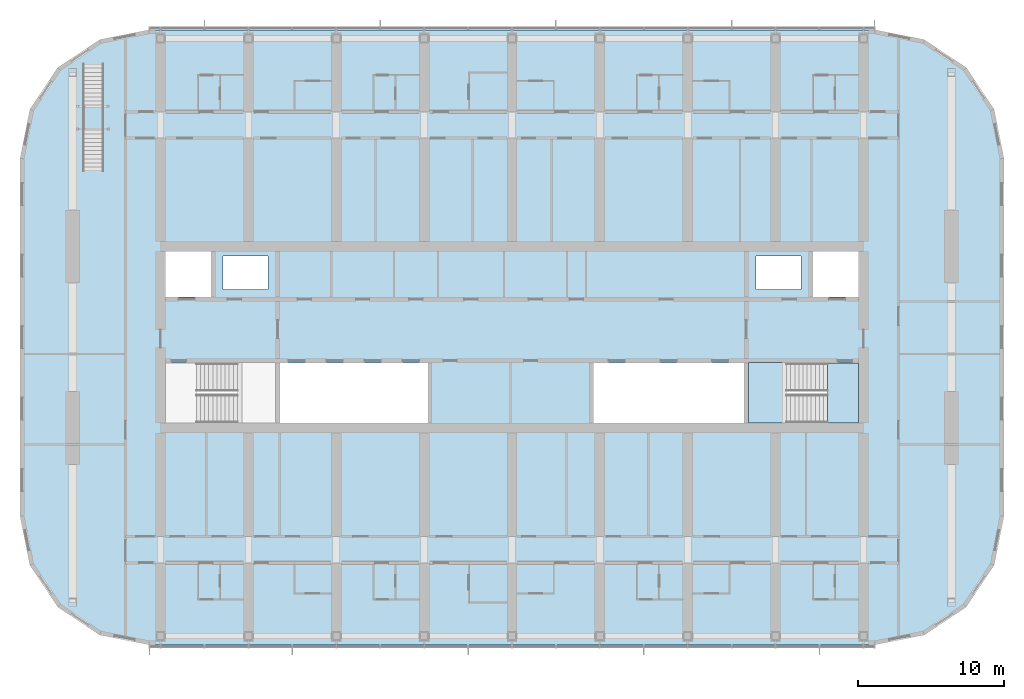
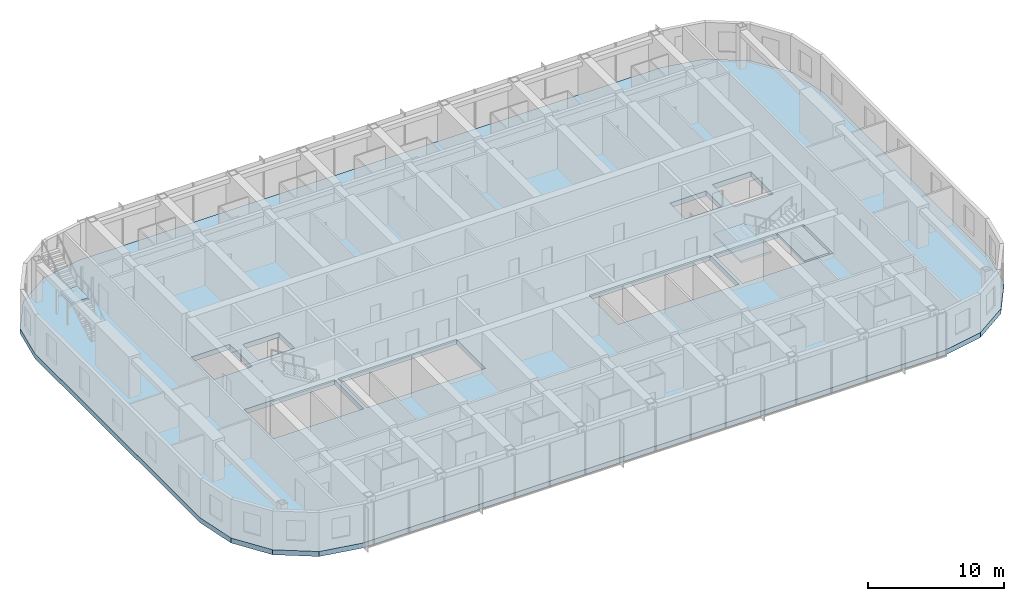
# One storey, part 10 of 26: 4 slabs, 2 elements without a shape of their own.
"""IFC4 building model written with IfcOpenShell, lengths in metres."""

from ifc_helpers import new_model, si_unit, direction, frame, origin, place, context, subcontext, project, spatial, polyline, outline, extrude, material, layer, layer_set, type_object, element, aggregate, save


model = new_model("IFC4")

# Units and contexts
model_context = context("Model", 3, precision=1e-05, world=origin(), true_north=direction((0.0, 1.0)))
body_context = subcontext(model_context, "Body", "Model", "MODEL_VIEW")
ifc_project = project(units=[si_unit("LENGTHUNIT", "METRE"), si_unit("AREAUNIT", "SQUARE_METRE"), si_unit("VOLUMEUNIT", "CUBIC_METRE"), si_unit("PLANEANGLEUNIT", "RADIAN"), si_unit("MASSUNIT", "GRAM", prefix="KILO")], contexts=[model_context])

# Site, building, storey
site_placement = place(None, origin())
site = spatial("IfcSite", under=ifc_project, at=site_placement, CompositionType="ELEMENT")
building_placement = place(site_placement, origin())
building = spatial("IfcBuilding", under=site, at=building_placement, Name="Orbita Commons", CompositionType="ELEMENT")
storey_placement = place(building_placement, frame((0.0, 0.0, 231.550048828125)))
storey = spatial("IfcBuildingStorey", under=building, at=storey_placement, Name="L57", CompositionType="ELEMENT", Elevation=231.550048828125)

# Stair, slab
ifc_material_1 = material(Name="Steel ASTM A992 stringers, precast concrete C40/50 terrazzo treads", Category="concrete")
stair_type_1 = type_object("IfcStairType", Name="Feature stair 22 risers 170 x 280 x 1400", PredefinedType="STRAIGHT_RUN_STAIR", material=ifc_material_1)
stair_1_placement = place(storey_placement, origin())
stair_1 = element("IfcStair", 1, at=stair_1_placement, inside=storey, type_object=stair_type_1, Name="Neighbourhood stair L57 to L58", PredefinedType="STRAIGHT_RUN_STAIR")
ifc_material_2 = material(Name="Concrete C40/50", Category="concrete")
ifc_layer_1 = layer(ifc_material_2, 0.199951171875)
ifc_layer_set_1 = layer_set([ifc_layer_1], Name="Concrete C40/50")
slab_type_1 = type_object("IfcSlabType", Name="Feature stair landing 200", PredefinedType="LANDING", material=ifc_layer_set_1)
slab_1_placement = place(storey_placement, frame((0.0, 0.0, 1.675048828125)))
slab_1 = element("IfcSlab", 2, at=slab_1_placement, type_object=slab_type_1, Name="FS landing 1", PredefinedType="LANDING", context=body_context, shape_type="SweptSolid", body=[
    extrude(outline(polyline([(12.699951171875, 46.14990234375), (14.10009765625, 46.14990234375), (14.10009765625, 47.860107421875), (12.699951171875, 47.860107421875), (12.699951171875, 46.14990234375)])), origin(), (0.0, 0.0, 1.0), 0.199951171875),
])
aggregate(stair_1, [slab_1])

# Slab
ifc_material_3 = material(Name="Concrete C40/50", Category="concrete")
ifc_layer_2 = layer(ifc_material_3, 0.449951171875)
ifc_layer_set_2 = layer_set([ifc_layer_2], Name="Concrete C40/50")
slab_type_2 = type_object("IfcSlabType", Name="Floor slab 450", PredefinedType="FLOOR", material=ifc_layer_set_2)
slab_2_placement = place(storey_placement, frame((0.0, 0.0, -0.449951171875)))
element("IfcSlab", 3, at=slab_2_placement, inside=storey, type_object=slab_type_2, Name="Floor slab L57", PredefinedType="FLOOR", context=body_context, shape_type="SweptSolid", body=[
    extrude(outline(polyline([(66.800048828125, 11.0), (70.167724609375, 11.669921875), (73.0224609375, 13.577392578125), (74.93017578125, 16.432373046875), (75.60009765625, 19.800048828125), (75.60009765625, 44.199951171875), (74.93017578125, 47.567626953125), (73.0224609375, 50.422607421875), (70.167724609375, 52.330078125), (66.800048828125, 53.0), (17.199951171875, 53.0), (13.832275390625, 52.330078125), (10.9775390625, 50.422607421875), (9.06982421875, 47.567626953125), (8.39990234375, 44.199951171875), (8.39990234375, 19.800048828125), (9.06982421875, 16.432373046875), (10.9775390625, 13.577392578125), (13.832275390625, 11.669921875), (17.199951171875, 11.0), (66.800048828125, 11.0)]), holes=[polyline([(18.14990234375, 25.949951171875), (25.85009765625, 25.949951171875), (25.85009765625, 30.25), (18.14990234375, 30.25), (18.14990234375, 25.949951171875)]), polyline([(58.14990234375, 25.949951171875), (65.85009765625, 25.949951171875), (65.85009765625, 30.25), (58.14990234375, 30.25), (58.14990234375, 25.949951171875)]), polyline([(18.14990234375, 34.75), (21.449951171875, 34.75), (21.449951171875, 38.050048828125), (18.14990234375, 38.050048828125), (18.14990234375, 34.75)]), polyline([(62.550048828125, 34.75), (65.85009765625, 34.75), (65.85009765625, 38.050048828125), (62.550048828125, 38.050048828125), (62.550048828125, 34.75)]), polyline([(22.25, 35.25), (25.35009765625, 35.25), (25.35009765625, 37.550048828125), (22.25, 37.550048828125), (22.25, 35.25)]), polyline([(58.64990234375, 35.25), (61.75, 35.25), (61.75, 37.550048828125), (58.64990234375, 37.550048828125), (58.64990234375, 35.25)]), polyline([(26.14990234375, 25.949951171875), (36.25, 25.949951171875), (36.25, 30.25), (26.14990234375, 30.25), (26.14990234375, 25.949951171875)]), polyline([(47.550048828125, 25.949951171875), (57.85009765625, 25.949951171875), (57.85009765625, 30.25), (47.550048828125, 30.25), (47.550048828125, 25.949951171875)])]), origin(), (0.0, 0.0, 1.0), 0.449951171875),
])

# Stair, slabs
ifc_material_4 = material(Name="Precast concrete C40/50", Category="concrete")
stair_type_2 = type_object("IfcStairType", Name="Exit stair S2 2 flights 11 risers 170", PredefinedType="HALF_TURN_STAIR", material=ifc_material_4)
stair_2_placement = place(storey_placement, origin())
stair_2 = element("IfcStair", 4, at=stair_2_placement, inside=storey, type_object=stair_type_2, Name="Exit stair S2 L57", PredefinedType="HALF_TURN_STAIR")
ifc_material_5 = material(Name="Concrete C40/50", Category="concrete")
ifc_layer_3 = layer(ifc_material_5, 0.199951171875)
ifc_layer_set_3 = layer_set([ifc_layer_3], Name="Concrete C40/50")
slab_type_3 = type_object("IfcSlabType", Name="Stair landing 200", PredefinedType="LANDING", material=ifc_layer_set_3)
slab_3_placement = place(storey_placement, frame((0.0, 0.0, -0.199951171875)))
slab_3 = element("IfcSlab", 5, at=slab_3_placement, type_object=slab_type_3, Name="S2 landing 1", PredefinedType="LANDING", context=body_context, shape_type="SweptSolid", body=[
    extrude(outline(polyline([(63.550048828125, 26.14990234375), (65.64990234375, 26.14990234375), (65.64990234375, 30.25), (63.550048828125, 30.25), (63.550048828125, 26.14990234375)])), origin(), (0.0, 0.0, 1.0), 0.199951171875),
])
slab_4_placement = place(storey_placement, frame((0.0, 0.0, 1.675048828125)))
slab_4 = element("IfcSlab", 6, at=slab_4_placement, type_object=slab_type_3, Name="S2 landing 2", PredefinedType="LANDING", context=body_context, shape_type="SweptSolid", body=[
    extrude(outline(polyline([(58.135009765625, 26.135009765625), (60.75, 26.135009765625), (60.75, 30.264892578125), (58.135009765625, 30.264892578125), (58.135009765625, 26.135009765625)])), origin(), (0.0, 0.0, 1.0), 0.199951171875),
])
aggregate(stair_2, [slab_3, slab_4])

save(model, "model.ifc")
